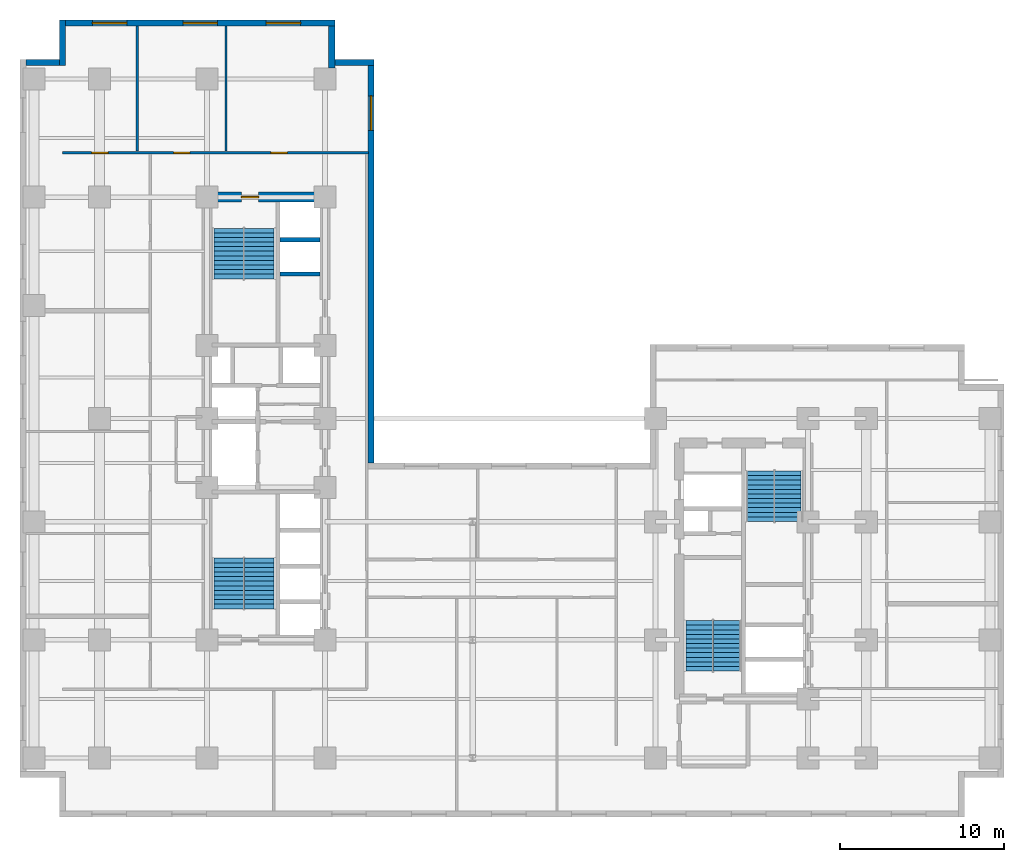
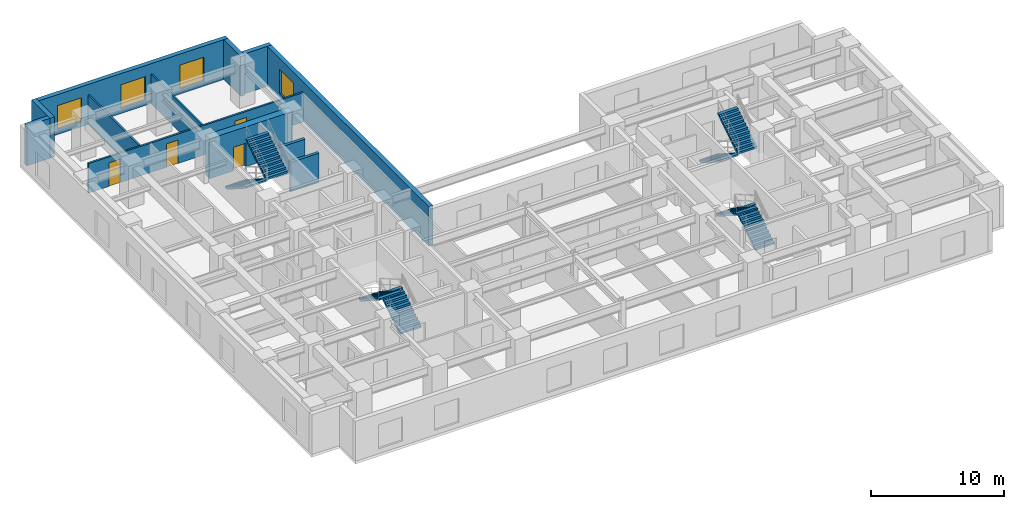
# One storey, part 6 of 9: 12 walls, 8 stair flights, 4 doors, 4 windows, 8 openings, 4 elements without a shape of their own.
"""IFC4 building model written with IfcOpenShell, lengths in metres."""

from ifc_helpers import new_model, entity, si_unit, converted_unit, direction, frame, origin_with_axes, origin_2d_with_axis, place, context, subcontext, project, spatial, polyline, rectangle, outline, extrude, material, layer, layer_set, type_object, element, fill, aggregate, save


model = new_model("IFC4")

# Units and contexts
model_context = context("Model", 3, precision=1e-05, world=origin_with_axes(), true_north=direction((0.0, 1.0)))
body_context = subcontext(model_context, "Body", "Model", "MODEL_VIEW")
ifc_project = project(units=[si_unit("LENGTHUNIT", "METRE"), si_unit("AREAUNIT", "SQUARE_METRE"), si_unit("VOLUMEUNIT", "CUBIC_METRE"), converted_unit("PLANEANGLEUNIT", "DEGREE", entity("IfcPlaneAngleMeasure", 0.017453292519943295), si_unit("PLANEANGLEUNIT", "RADIAN"), dimensions=[0, 0, 0, 0, 0, 0, 0]), si_unit("MASSUNIT", "GRAM", prefix="KILO"), si_unit("THERMODYNAMICTEMPERATUREUNIT", "KELVIN")], contexts=[model_context])

# Site, building, storey
site_placement = place(None, origin_with_axes())
site = spatial("IfcSite", under=ifc_project, at=site_placement, CompositionType="ELEMENT")
building_placement = place(site_placement, origin_with_axes())
building = spatial("IfcBuilding", under=site, at=building_placement, Name="Varnlund Millrace Tower", CompositionType="ELEMENT")
storey_placement = place(building_placement, frame((0.0, 0.0, 52.2), z_axis=(0.0, 0.0, 1.0), x_axis=(1.0, 0.0, 0.0)))
storey = spatial("IfcBuildingStorey", under=building, at=storey_placement, Name="L12", CompositionType="ELEMENT", Elevation=52.2)

# Wall, opening, door
ifc_material_1 = material(Name="Concrete C80/95", Category="concrete")
ifc_layer_1 = layer(ifc_material_1, 0.6, Name="Concrete C80/95")
ifc_layer_set_1 = layer_set([ifc_layer_1], Name="Concrete C80/95")
wall_type_1 = type_object("IfcWallType", Name="Type-CoreWall-Shear-600-C80", PredefinedType="SHEAR", material=ifc_layer_set_1)
wall_1_placement = place(storey_placement, frame((11.4, 37.8, 0.0), z_axis=(0.0, 0.0, 1.0), x_axis=(1.0, 0.0, 0.0)))
wall_1 = element("IfcWall", 1, at=wall_1_placement, inside=storey, type_object=wall_type_1, Name="Type-CoreWall-Shear-600-C80", PredefinedType="SHEAR", context=body_context, shape_type="SweptSolid", body=[
    extrude(outline(polyline([(0.0, -0.3), (7.2, -0.3), (7.2, 0.3), (0.0, 0.3), (0.0, -0.3)])), origin_with_axes(), (0.0, 0.0, 1.0), 3.66),
])
opening_1_placement = place(wall_1_placement, frame((2.625, 0.0, 0.0), z_axis=(0.0, 0.0, 1.0), x_axis=(1.0, 0.0, 0.0)))
opening_1 = element("IfcOpeningElement", 2, at=opening_1_placement, cuts=wall_1, Name="Opening L12:DR-STA2", PredefinedType="OPENING", context=body_context, shape_type="SweptSolid", body=[
    extrude(rectangle(XDim=1.05, YDim=0.62, at=origin_2d_with_axis()), origin_with_axes(), (0.0, 0.0, 1.0), 2.15),
])
ifc_material_2 = material(Name="Fire-rated hollow steel door", Category="steel")
door_type_1 = type_object("IfcDoorType", Name="Type-FireDoor-Stair-1050X2150", OperationType="NOTDEFINED", PredefinedType="DOOR", material=ifc_material_2)
door_1_placement = place(wall_1_placement, frame((2.625, 0.0, 0.0), z_axis=(0.0, 0.0, 1.0), x_axis=(1.0, 0.0, 0.0)))
door_1 = element("IfcDoor", 3, at=door_1_placement, inside=storey, type_object=door_type_1, Name="Type-FireDoor-Stair-1050X2150", OperationType="SINGLE_SWING_RIGHT", OverallHeight=2.15, OverallWidth=1.05, PredefinedType="DOOR", context=body_context, shape_type="SweptSolid", body=[
    extrude(rectangle(XDim=1.05, YDim=0.09, at=origin_2d_with_axis()), origin_with_axes(), (0.0, 0.0, 1.0), 2.15),
])
fill(opening_1, door_1)

# Walls
ifc_material_3 = material(Name="Precast concrete C50/60", Category="concrete")
ifc_layer_2 = layer(ifc_material_3, 0.38, Name="Precast concrete C50/60")
ifc_layer_set_2 = layer_set([ifc_layer_2], Name="Precast concrete C50/60")
wall_type_2 = type_object("IfcWallType", Name="Type-ExtWall-Precast-Tube-380", PredefinedType="SOLIDWALL", material=ifc_layer_set_2)
wall_2_placement = place(storey_placement, frame((0.38, 46.01, 0.0), z_axis=(0.0, 0.0, 1.0), x_axis=(1.0, 0.0, 0.0)))
element("IfcWall", 4, at=wall_2_placement, inside=storey, type_object=wall_type_2, Name="Type-ExtWall-Precast-Tube-380", PredefinedType="SOLIDWALL", context=body_context, shape_type="SweptSolid", body=[
    extrude(outline(polyline([(0.0, -0.19), (2.02, -0.19), (2.02, 0.19), (0.0, 0.19), (0.0, -0.19)])), origin_with_axes(), (0.0, 0.0, 1.0), 3.66),
])
wall_3_placement = place(storey_placement, frame((2.59, 45.82, 0.0), z_axis=(0.0, 0.0, 1.0), x_axis=(0.0, 1.0, 0.0)))
element("IfcWall", 5, at=wall_3_placement, inside=storey, type_object=wall_type_2, Name="Type-ExtWall-Precast-Tube-380", PredefinedType="SOLIDWALL", context=body_context, shape_type="SweptSolid", body=[
    extrude(outline(polyline([(0.0, -0.19), (2.78, -0.19), (2.78, 0.19), (0.0, 0.19), (0.0, -0.19)])), origin_with_axes(), (0.0, 0.0, 1.0), 3.66),
])

# Wall, openings, windows
wall_4_placement = place(storey_placement, frame((2.78, 48.41, 0.0), z_axis=(0.0, 0.0, 1.0), x_axis=(1.0, 0.0, 0.0)))
wall_4 = element("IfcWall", 6, at=wall_4_placement, inside=storey, type_object=wall_type_2, Name="Type-ExtWall-Precast-Tube-380", PredefinedType="SOLIDWALL", context=body_context, shape_type="SweptSolid", body=[
    extrude(outline(polyline([(0.0, -0.19), (16.42, -0.19), (16.42, 0.19), (0.0, 0.19), (0.0, -0.19)])), origin_with_axes(), (0.0, 0.0, 1.0), 3.66),
])
opening_2_placement = place(wall_4_placement, frame((2.687, 0.0, 0.45), z_axis=(0.0, 0.0, 1.0), x_axis=(1.0, 0.0, 0.0)))
opening_2 = element("IfcOpeningElement", 7, at=opening_2_placement, cuts=wall_4, Name="Opening L12:WN-23", PredefinedType="OPENING", context=body_context, shape_type="SweptSolid", body=[
    extrude(rectangle(XDim=2.1, YDim=0.4, at=origin_2d_with_axis()), origin_with_axes(), (0.0, 0.0, 1.0), 2.2),
])
opening_3_placement = place(wall_4_placement, frame((8.21, 0.0, 0.45), z_axis=(0.0, 0.0, 1.0), x_axis=(1.0, 0.0, 0.0)))
opening_3 = element("IfcOpeningElement", 8, at=opening_3_placement, cuts=wall_4, Name="Opening L12:WN-24", PredefinedType="OPENING", context=body_context, shape_type="SweptSolid", body=[
    extrude(rectangle(XDim=2.1, YDim=0.4, at=origin_2d_with_axis()), origin_with_axes(), (0.0, 0.0, 1.0), 2.2),
])
opening_4_placement = place(wall_4_placement, frame((13.283, 0.0, 0.45), z_axis=(0.0, 0.0, 1.0), x_axis=(1.0, 0.0, 0.0)))
opening_4 = element("IfcOpeningElement", 9, at=opening_4_placement, cuts=wall_4, Name="Opening L12:WN-25", PredefinedType="OPENING", context=body_context, shape_type="SweptSolid", body=[
    extrude(rectangle(XDim=2.1, YDim=0.4, at=origin_2d_with_axis()), origin_with_axes(), (0.0, 0.0, 1.0), 2.2),
])
ifc_material_4 = material(Name="Argon low-e triple glazing in thermally broken bronze frame", Category="glass")
window_type = type_object("IfcWindowType", Name="Type-Window-Punched-2100X2200", PartitioningType="SINGLE_PANEL", PredefinedType="WINDOW", material=ifc_material_4)
window_1_placement = place(wall_4_placement, frame((2.687, 0.0, 0.45), z_axis=(0.0, 0.0, 1.0), x_axis=(1.0, 0.0, 0.0)))
window_1 = element("IfcWindow", 10, at=window_1_placement, inside=storey, type_object=window_type, Name="Type-Window-Punched-2100X2200", OverallHeight=2.2, OverallWidth=2.1, PredefinedType="WINDOW", context=body_context, shape_type="SweptSolid", body=[
    extrude(rectangle(XDim=2.1, YDim=0.09, at=origin_2d_with_axis()), origin_with_axes(), (0.0, 0.0, 1.0), 2.2),
])
fill(opening_2, window_1)
window_2_placement = place(wall_4_placement, frame((8.21, 0.0, 0.45), z_axis=(0.0, 0.0, 1.0), x_axis=(1.0, 0.0, 0.0)))
window_2 = element("IfcWindow", 11, at=window_2_placement, inside=storey, type_object=window_type, Name="Type-Window-Punched-2100X2200", OverallHeight=2.2, OverallWidth=2.1, PredefinedType="WINDOW", context=body_context, shape_type="SweptSolid", body=[
    extrude(rectangle(XDim=2.1, YDim=0.09, at=origin_2d_with_axis()), origin_with_axes(), (0.0, 0.0, 1.0), 2.2),
])
fill(opening_3, window_2)
window_3_placement = place(wall_4_placement, frame((13.283, 0.0, 0.45), z_axis=(0.0, 0.0, 1.0), x_axis=(1.0, 0.0, 0.0)))
window_3 = element("IfcWindow", 12, at=window_3_placement, inside=storey, type_object=window_type, Name="Type-Window-Punched-2100X2200", OverallHeight=2.2, OverallWidth=2.1, PredefinedType="WINDOW", context=body_context, shape_type="SweptSolid", body=[
    extrude(rectangle(XDim=2.1, YDim=0.09, at=origin_2d_with_axis()), origin_with_axes(), (0.0, 0.0, 1.0), 2.2),
])
fill(opening_4, window_3)

# Walls
wall_5_placement = place(storey_placement, frame((19.01, 48.22, 0.0), z_axis=(0.0, 0.0, 1.0), x_axis=(0.0, -1.0, 0.0)))
element("IfcWall", 13, at=wall_5_placement, inside=storey, type_object=wall_type_2, Name="Type-ExtWall-Precast-Tube-380", PredefinedType="SOLIDWALL", context=body_context, shape_type="SweptSolid", body=[
    extrude(outline(polyline([(0.0, -0.19), (2.56, -0.19), (2.56, 0.19), (0.0, 0.19), (0.0, -0.19)])), origin_with_axes(), (0.0, 0.0, 1.0), 3.66),
])
wall_6_placement = place(storey_placement, frame((18.82, 46.01, 0.0), z_axis=(0.0, 0.0, 1.0), x_axis=(1.0, 0.0, 0.0)))
element("IfcWall", 14, at=wall_6_placement, inside=storey, type_object=wall_type_2, Name="Type-ExtWall-Precast-Tube-380", PredefinedType="SOLIDWALL", context=body_context, shape_type="SweptSolid", body=[
    extrude(outline(polyline([(0.0, -0.19), (2.78, -0.19), (2.78, 0.19), (0.0, 0.19), (0.0, -0.19)])), origin_with_axes(), (0.0, 0.0, 1.0), 3.66),
])

# Wall, opening, window
wall_7_placement = place(storey_placement, frame((21.41, 45.82, 0.0), z_axis=(0.0, 0.0, 1.0), x_axis=(0.0, -1.0, 0.0)))
wall_7 = element("IfcWall", 15, at=wall_7_placement, inside=storey, type_object=wall_type_2, Name="Type-ExtWall-Precast-Tube-380", PredefinedType="SOLIDWALL", context=body_context, shape_type="SweptSolid", body=[
    extrude(outline(polyline([(0.0, -0.19), (24.22, -0.19), (24.22, 0.19), (0.0, 0.19), (0.0, -0.19)])), origin_with_axes(), (0.0, 0.0, 1.0), 3.66),
])
opening_5_placement = place(wall_7_placement, frame((2.902, 0.0, 0.45), z_axis=(0.0, 0.0, 1.0), x_axis=(1.0, 0.0, 0.0)))
opening_5 = element("IfcOpeningElement", 16, at=opening_5_placement, cuts=wall_7, Name="Opening L12:WN-26", PredefinedType="OPENING", context=body_context, shape_type="SweptSolid", body=[
    extrude(rectangle(XDim=2.1, YDim=0.4, at=origin_2d_with_axis()), origin_with_axes(), (0.0, 0.0, 1.0), 2.2),
])
window_4_placement = place(wall_7_placement, frame((2.902, 0.0, 0.45), z_axis=(0.0, 0.0, 1.0), x_axis=(1.0, 0.0, 0.0)))
window_4 = element("IfcWindow", 17, at=window_4_placement, inside=storey, type_object=window_type, Name="Type-Window-Punched-2100X2200", OverallHeight=2.2, OverallWidth=2.1, PredefinedType="WINDOW", context=body_context, shape_type="SweptSolid", body=[
    extrude(rectangle(XDim=2.1, YDim=0.09, at=origin_2d_with_axis()), origin_with_axes(), (0.0, 0.0, 1.0), 2.2),
])
fill(opening_5, window_4)

# Wall, openings, doors
ifc_material_5 = material(Name="Fire-rated gypsum board on cold-formed steel framing", Category="steel")
ifc_layer_3 = layer(ifc_material_5, 0.16, Name="Fire-rated gypsum board on cold-formed steel framing")
ifc_layer_set_3 = layer_set([ifc_layer_3], Name="Fire-rated gypsum board on cold-formed steel framing")
wall_type_3 = type_object("IfcWallType", Name="Type-Partition-Corridor-160", PredefinedType="PARTITIONING", material=ifc_layer_set_3)
wall_8_placement = place(storey_placement, frame((2.6, 40.5, 0.0), z_axis=(0.0, 0.0, 1.0), x_axis=(1.0, 0.0, 0.0)))
wall_8 = element("IfcWall", 18, at=wall_8_placement, inside=storey, type_object=wall_type_3, Name="Type-Partition-Corridor-160", PredefinedType="PARTITIONING", context=body_context, shape_type="SweptSolid", body=[
    extrude(outline(polyline([(0.0, -0.08), (18.65, -0.08), (18.65, 0.08), (0.0, 0.08), (0.0, -0.08)])), origin_with_axes(), (0.0, 0.0, 1.0), 2.7),
])
opening_6_placement = place(wall_8_placement, frame((2.2685, 0.0, 0.0), z_axis=(0.0, 0.0, 1.0), x_axis=(1.0, 0.0, 0.0)))
opening_6 = element("IfcOpeningElement", 19, at=opening_6_placement, cuts=wall_8, Name="Opening L12:DR-WAN-01", PredefinedType="OPENING", context=body_context, shape_type="SweptSolid", body=[
    extrude(rectangle(XDim=1.0, YDim=0.18, at=origin_2d_with_axis()), origin_with_axes(), (0.0, 0.0, 1.0), 2.15),
])
opening_7_placement = place(wall_8_placement, frame((7.2605, 0.0, 0.0), z_axis=(0.0, 0.0, 1.0), x_axis=(1.0, 0.0, 0.0)))
opening_7 = element("IfcOpeningElement", 20, at=opening_7_placement, cuts=wall_8, Name="Opening L12:DR-WAN-02", PredefinedType="OPENING", context=body_context, shape_type="SweptSolid", body=[
    extrude(rectangle(XDim=1.0, YDim=0.18, at=origin_2d_with_axis()), origin_with_axes(), (0.0, 0.0, 1.0), 2.15),
])
opening_8_placement = place(wall_8_placement, frame((13.197, 0.0, 0.0), z_axis=(0.0, 0.0, 1.0), x_axis=(1.0, 0.0, 0.0)))
opening_8 = element("IfcOpeningElement", 21, at=opening_8_placement, cuts=wall_8, Name="Opening L12:DR-WAN-03", PredefinedType="OPENING", context=body_context, shape_type="SweptSolid", body=[
    extrude(rectangle(XDim=1.0, YDim=0.18, at=origin_2d_with_axis()), origin_with_axes(), (0.0, 0.0, 1.0), 2.15),
])
ifc_material_6 = material(Name="Solid-core white oak and bronze frame door")
door_type_2 = type_object("IfcDoorType", Name="Type-IntDoor-Office-1000X2150", OperationType="NOTDEFINED", PredefinedType="DOOR", material=ifc_material_6)
door_2_placement = place(wall_8_placement, frame((2.2685, 0.0, 0.0), z_axis=(0.0, 0.0, 1.0), x_axis=(1.0, 0.0, 0.0)))
door_2 = element("IfcDoor", 22, at=door_2_placement, inside=storey, type_object=door_type_2, Name="Type-IntDoor-Office-1000X2150", OperationType="SINGLE_SWING_LEFT", OverallHeight=2.15, OverallWidth=1.0, PredefinedType="DOOR", context=body_context, shape_type="SweptSolid", body=[
    extrude(rectangle(XDim=1.0, YDim=0.09, at=origin_2d_with_axis()), origin_with_axes(), (0.0, 0.0, 1.0), 2.15),
])
fill(opening_6, door_2)
door_3_placement = place(wall_8_placement, frame((7.2605, 0.0, 0.0), z_axis=(0.0, 0.0, 1.0), x_axis=(1.0, 0.0, 0.0)))
door_3 = element("IfcDoor", 23, at=door_3_placement, inside=storey, type_object=door_type_2, Name="Type-IntDoor-Office-1000X2150", OperationType="SINGLE_SWING_RIGHT", OverallHeight=2.15, OverallWidth=1.0, PredefinedType="DOOR", context=body_context, shape_type="SweptSolid", body=[
    extrude(rectangle(XDim=1.0, YDim=0.09, at=origin_2d_with_axis()), origin_with_axes(), (0.0, 0.0, 1.0), 2.15),
])
fill(opening_7, door_3)
door_4_placement = place(wall_8_placement, frame((13.197, 0.0, 0.0), z_axis=(0.0, 0.0, 1.0), x_axis=(1.0, 0.0, 0.0)))
door_4 = element("IfcDoor", 24, at=door_4_placement, inside=storey, type_object=door_type_2, Name="Type-IntDoor-Office-1000X2150", OperationType="SINGLE_SWING_LEFT", OverallHeight=2.15, OverallWidth=1.0, PredefinedType="DOOR", context=body_context, shape_type="SweptSolid", body=[
    extrude(rectangle(XDim=1.0, YDim=0.09, at=origin_2d_with_axis()), origin_with_axes(), (0.0, 0.0, 1.0), 2.15),
])
fill(opening_8, door_4)

# Walls
ifc_material_7 = material(Name="Acoustic STC-50 gypsum board partition", Category="gypsum")
ifc_layer_4 = layer(ifc_material_7, 0.15, Name="Acoustic STC-50 gypsum board partition")
ifc_layer_set_4 = layer_set([ifc_layer_4], Name="Acoustic STC-50 gypsum board partition")
wall_type_4 = type_object("IfcWallType", Name="Type-Partition-Demising-150", PredefinedType="PARTITIONING", material=ifc_layer_set_4)
wall_9_placement = place(storey_placement, frame((7.147, 40.6, 0.0), z_axis=(0.0, 0.0, 1.0), x_axis=(0.0, 1.0, 0.0)))
element("IfcWall", 25, at=wall_9_placement, inside=storey, type_object=wall_type_4, Name="Type-Partition-Demising-150", PredefinedType="PARTITIONING", context=body_context, shape_type="SweptSolid", body=[
    extrude(outline(polyline([(0.0, -0.075), (7.64, -0.075), (7.64, 0.075), (0.0, 0.075), (0.0, -0.075)])), origin_with_axes(), (0.0, 0.0, 1.0), 2.7),
])
ifc_material_8 = material(Name="Gypsum board tenant partition", Category="gypsum")
ifc_layer_5 = layer(ifc_material_8, 0.125, Name="Gypsum board tenant partition")
ifc_layer_set_5 = layer_set([ifc_layer_5], Name="Gypsum board tenant partition")
wall_type_5 = type_object("IfcWallType", Name="Type-Partition-Tenant-125", PredefinedType="PARTITIONING", material=ifc_layer_set_5)
wall_10_placement = place(storey_placement, frame((12.574, 40.6, 0.0), z_axis=(0.0, 0.0, 1.0), x_axis=(0.0, 1.0, 0.0)))
element("IfcWall", 26, at=wall_10_placement, inside=storey, type_object=wall_type_5, Name="Type-Partition-Tenant-125", PredefinedType="PARTITIONING", context=body_context, shape_type="SweptSolid", body=[
    extrude(outline(polyline([(0.0, -0.0625), (7.64, -0.0625), (7.64, 0.0625), (0.0, 0.0625), (0.0, -0.0625)])), origin_with_axes(), (0.0, 0.0, 1.0), 2.7),
])
ifc_material_9 = material(Name="Concrete C60/75", Category="concrete")
ifc_layer_6 = layer(ifc_material_9, 0.25, Name="Concrete C60/75")
ifc_layer_set_6 = layer_set([ifc_layer_6], Name="Concrete C60/75")
wall_type_6 = type_object("IfcWallType", Name="Type-ShaftWall-Fire-250", PredefinedType="SOLIDWALL", material=ifc_layer_set_6)
for number, where, z_axis, x_axis, name in (
    (27, (15.84, 33.1, 0.0), (0.0, 0.0, 1.0), (1.0, 0.0, 0.0), "Type-ShaftWall-Fire-250"),
    (28, (15.84, 35.2, 0.0), (0.0, 0.0, 1.0), (1.0, 0.0, 0.0), "Type-ShaftWall-Fire-250"),
):
    element("IfcWall", number, at=place(storey_placement, frame(where, z_axis=z_axis, x_axis=x_axis)), inside=storey, type_object=wall_type_6, Name=name, PredefinedType="SOLIDWALL", context=body_context, shape_type="SweptSolid", body=[
        extrude(outline(polyline([(0.0, -0.125), (2.46, -0.125), (2.46, 0.125), (0.0, 0.125), (0.0, -0.125)])), origin_with_axes(), (0.0, 0.0, 1.0), 2.7),
    ])

# Stair, stair flights
ifc_material_10 = material(Name="Concrete C50/60", Category="concrete")
stair_type_1 = type_object("IfcStairType", Name="Type-Stair-Dogleg-165-390", PredefinedType="HALF_TURN_STAIR", material=ifc_material_10)
stair_1_placement = place(storey_placement, origin_with_axes())
stair_1 = element("IfcStair", 29, at=stair_1_placement, inside=storey, type_object=stair_type_1, Name="Type-Stair-Dogleg-165-390", PredefinedType="HALF_TURN_STAIR")
stair_flight_type_1 = type_object("IfcStairFlightType", Name="Type-Dogleg-Run-165-390", PredefinedType="STRAIGHT", material=ifc_material_3)
stair_flight_1_placement = place(storey_placement, frame((42.225, 8.9, 0.0), z_axis=(1.0, 0.0, 0.0), x_axis=(0.0, 1.0, 0.0)))
stair_flight_1 = element("IfcStairFlight", 30, at=stair_flight_1_placement, type_object=stair_flight_type_1, Name="ST-B1 flight 1", NumberOfRisers=11, NumberOfTreads=11, PredefinedType="STRAIGHT", RiserHeight=0.177273, TreadLength=0.28, context=body_context, shape_type="SweptSolid", body=[
    extrude(outline(polyline([(0.0, 0.0), (0.0, 0.177273), (0.28, 0.177273), (0.28, 0.354545), (0.56, 0.354545), (0.56, 0.531818), (0.84, 0.531818), (0.84, 0.709091), (1.12, 0.709091), (1.12, 0.886364), (1.4, 0.886364), (1.4, 1.063636), (1.68, 1.063636), (1.68, 1.240909), (1.96, 1.240909), (1.96, 1.418182), (2.24, 1.418182), (2.24, 1.595454), (2.52, 1.595454), (2.52, 1.772727), (2.8, 1.772727), (2.8, 1.95), (3.08, 1.95), (3.08, 1.8), (0.28, 0.0), (0.0, 0.0)])), origin_with_axes(), (0.0, 0.0, 1.0), 1.65),
])
stair_flight_2_placement = place(storey_placement, frame((42.275, 11.98, 1.95), z_axis=(-1.0, 0.0, 0.0), x_axis=(0.0, -1.0, 0.0)))
stair_flight_2 = element("IfcStairFlight", 31, at=stair_flight_2_placement, type_object=stair_flight_type_1, Name="ST-B1 flight 2", NumberOfRisers=11, NumberOfTreads=11, PredefinedType="STRAIGHT", RiserHeight=0.177273, TreadLength=0.28, context=body_context, shape_type="SweptSolid", body=[
    extrude(outline(polyline([(0.0, 0.0), (0.0, 0.177273), (0.28, 0.177273), (0.28, 0.354545), (0.56, 0.354545), (0.56, 0.531818), (0.84, 0.531818), (0.84, 0.709091), (1.12, 0.709091), (1.12, 0.886364), (1.4, 0.886364), (1.4, 1.063636), (1.68, 1.063636), (1.68, 1.240909), (1.96, 1.240909), (1.96, 1.418182), (2.24, 1.418182), (2.24, 1.595454), (2.52, 1.595454), (2.52, 1.772727), (2.8, 1.772727), (2.8, 1.95), (3.08, 1.95), (3.08, 1.8), (0.28, 0.0), (0.0, 0.0)])), origin_with_axes(), (0.0, 0.0, 1.0), 1.65),
])
aggregate(stair_1, [stair_flight_1, stair_flight_2])

stair_2_placement = place(storey_placement, origin_with_axes())
stair_2 = element("IfcStair", 32, at=stair_2_placement, inside=storey, type_object=stair_type_1, Name="Type-Stair-Dogleg-165-390", PredefinedType="HALF_TURN_STAIR")
stair_flight_3_placement = place(storey_placement, frame((46.025, 21.1, 0.0), z_axis=(-1.0, 0.0, 0.0), x_axis=(0.0, -1.0, 0.0)))
stair_flight_3 = element("IfcStairFlight", 33, at=stair_flight_3_placement, type_object=stair_flight_type_1, Name="ST-B2 flight 1", NumberOfRisers=11, NumberOfTreads=11, PredefinedType="STRAIGHT", RiserHeight=0.177273, TreadLength=0.28, context=body_context, shape_type="SweptSolid", body=[
    extrude(outline(polyline([(0.0, 0.0), (0.0, 0.177273), (0.28, 0.177273), (0.28, 0.354545), (0.56, 0.354545), (0.56, 0.531818), (0.84, 0.531818), (0.84, 0.709091), (1.12, 0.709091), (1.12, 0.886364), (1.4, 0.886364), (1.4, 1.063636), (1.68, 1.063636), (1.68, 1.240909), (1.96, 1.240909), (1.96, 1.418182), (2.24, 1.418182), (2.24, 1.595454), (2.52, 1.595454), (2.52, 1.772727), (2.8, 1.772727), (2.8, 1.95), (3.08, 1.95), (3.08, 1.8), (0.28, 0.0), (0.0, 0.0)])), origin_with_axes(), (0.0, 0.0, 1.0), 1.65),
])
stair_flight_4_placement = place(storey_placement, frame((45.975, 18.02, 1.95), z_axis=(1.0, 0.0, 0.0), x_axis=(0.0, 1.0, 0.0)))
stair_flight_4 = element("IfcStairFlight", 34, at=stair_flight_4_placement, type_object=stair_flight_type_1, Name="ST-B2 flight 2", NumberOfRisers=11, NumberOfTreads=11, PredefinedType="STRAIGHT", RiserHeight=0.177273, TreadLength=0.28, context=body_context, shape_type="SweptSolid", body=[
    extrude(outline(polyline([(0.0, 0.0), (0.0, 0.177273), (0.28, 0.177273), (0.28, 0.354545), (0.56, 0.354545), (0.56, 0.531818), (0.84, 0.531818), (0.84, 0.709091), (1.12, 0.709091), (1.12, 0.886364), (1.4, 0.886364), (1.4, 1.063636), (1.68, 1.063636), (1.68, 1.240909), (1.96, 1.240909), (1.96, 1.418182), (2.24, 1.418182), (2.24, 1.595454), (2.52, 1.595454), (2.52, 1.772727), (2.8, 1.772727), (2.8, 1.95), (3.08, 1.95), (3.08, 1.8), (0.28, 0.0), (0.0, 0.0)])), origin_with_axes(), (0.0, 0.0, 1.0), 1.65),
])
aggregate(stair_2, [stair_flight_3, stair_flight_4])

stair_type_2 = type_object("IfcStairType", Name="Type-Stair-Dogleg-185-390", PredefinedType="HALF_TURN_STAIR", material=ifc_material_10)
stair_3_placement = place(storey_placement, origin_with_axes())
stair_3 = element("IfcStair", 35, at=stair_3_placement, inside=storey, type_object=stair_type_2, Name="Type-Stair-Dogleg-185-390", PredefinedType="HALF_TURN_STAIR")
stair_flight_type_2 = type_object("IfcStairFlightType", Name="Type-Dogleg-Run-185-390", PredefinedType="STRAIGHT", material=ifc_material_3)
stair_flight_5_placement = place(storey_placement, frame((13.625, 12.7, 0.0), z_axis=(1.0, 0.0, 0.0), x_axis=(0.0, 1.0, 0.0)))
stair_flight_5 = element("IfcStairFlight", 36, at=stair_flight_5_placement, type_object=stair_flight_type_2, Name="ST-A1 flight 1", NumberOfRisers=11, NumberOfTreads=11, PredefinedType="STRAIGHT", RiserHeight=0.177273, TreadLength=0.28, context=body_context, shape_type="SweptSolid", body=[
    extrude(outline(polyline([(0.0, 0.0), (0.0, 0.177273), (0.28, 0.177273), (0.28, 0.354545), (0.56, 0.354545), (0.56, 0.531818), (0.84, 0.531818), (0.84, 0.709091), (1.12, 0.709091), (1.12, 0.886364), (1.4, 0.886364), (1.4, 1.063636), (1.68, 1.063636), (1.68, 1.240909), (1.96, 1.240909), (1.96, 1.418182), (2.24, 1.418182), (2.24, 1.595454), (2.52, 1.595454), (2.52, 1.772727), (2.8, 1.772727), (2.8, 1.95), (3.08, 1.95), (3.08, 1.8), (0.28, 0.0), (0.0, 0.0)])), origin_with_axes(), (0.0, 0.0, 1.0), 1.85),
])
stair_flight_6_placement = place(storey_placement, frame((13.675, 15.78, 1.95), z_axis=(-1.0, 0.0, 0.0), x_axis=(0.0, -1.0, 0.0)))
stair_flight_6 = element("IfcStairFlight", 37, at=stair_flight_6_placement, type_object=stair_flight_type_2, Name="ST-A1 flight 2", NumberOfRisers=11, NumberOfTreads=11, PredefinedType="STRAIGHT", RiserHeight=0.177273, TreadLength=0.28, context=body_context, shape_type="SweptSolid", body=[
    extrude(outline(polyline([(0.0, 0.0), (0.0, 0.177273), (0.28, 0.177273), (0.28, 0.354545), (0.56, 0.354545), (0.56, 0.531818), (0.84, 0.531818), (0.84, 0.709091), (1.12, 0.709091), (1.12, 0.886364), (1.4, 0.886364), (1.4, 1.063636), (1.68, 1.063636), (1.68, 1.240909), (1.96, 1.240909), (1.96, 1.418182), (2.24, 1.418182), (2.24, 1.595454), (2.52, 1.595454), (2.52, 1.772727), (2.8, 1.772727), (2.8, 1.95), (3.08, 1.95), (3.08, 1.8), (0.28, 0.0), (0.0, 0.0)])), origin_with_axes(), (0.0, 0.0, 1.0), 1.85),
])
aggregate(stair_3, [stair_flight_5, stair_flight_6])

stair_4_placement = place(storey_placement, origin_with_axes())
stair_4 = element("IfcStair", 38, at=stair_4_placement, inside=storey, type_object=stair_type_2, Name="Type-Stair-Dogleg-185-390", PredefinedType="HALF_TURN_STAIR")
stair_flight_7_placement = place(storey_placement, frame((13.675, 35.9, 0.0), z_axis=(-1.0, 0.0, 0.0), x_axis=(0.0, -1.0, 0.0)))
stair_flight_7 = element("IfcStairFlight", 39, at=stair_flight_7_placement, type_object=stair_flight_type_2, Name="ST-A2 flight 1", NumberOfRisers=11, NumberOfTreads=11, PredefinedType="STRAIGHT", RiserHeight=0.177273, TreadLength=0.28, context=body_context, shape_type="SweptSolid", body=[
    extrude(outline(polyline([(0.0, 0.0), (0.0, 0.177273), (0.28, 0.177273), (0.28, 0.354545), (0.56, 0.354545), (0.56, 0.531818), (0.84, 0.531818), (0.84, 0.709091), (1.12, 0.709091), (1.12, 0.886364), (1.4, 0.886364), (1.4, 1.063636), (1.68, 1.063636), (1.68, 1.240909), (1.96, 1.240909), (1.96, 1.418182), (2.24, 1.418182), (2.24, 1.595454), (2.52, 1.595454), (2.52, 1.772727), (2.8, 1.772727), (2.8, 1.95), (3.08, 1.95), (3.08, 1.8), (0.28, 0.0), (0.0, 0.0)])), origin_with_axes(), (0.0, 0.0, 1.0), 1.85),
])
stair_flight_8_placement = place(storey_placement, frame((13.625, 32.82, 1.95), z_axis=(1.0, 0.0, 0.0), x_axis=(0.0, 1.0, 0.0)))
stair_flight_8 = element("IfcStairFlight", 40, at=stair_flight_8_placement, type_object=stair_flight_type_2, Name="ST-A2 flight 2", NumberOfRisers=11, NumberOfTreads=11, PredefinedType="STRAIGHT", RiserHeight=0.177273, TreadLength=0.28, context=body_context, shape_type="SweptSolid", body=[
    extrude(outline(polyline([(0.0, 0.0), (0.0, 0.177273), (0.28, 0.177273), (0.28, 0.354545), (0.56, 0.354545), (0.56, 0.531818), (0.84, 0.531818), (0.84, 0.709091), (1.12, 0.709091), (1.12, 0.886364), (1.4, 0.886364), (1.4, 1.063636), (1.68, 1.063636), (1.68, 1.240909), (1.96, 1.240909), (1.96, 1.418182), (2.24, 1.418182), (2.24, 1.595454), (2.52, 1.595454), (2.52, 1.772727), (2.8, 1.772727), (2.8, 1.95), (3.08, 1.95), (3.08, 1.8), (0.28, 0.0), (0.0, 0.0)])), origin_with_axes(), (0.0, 0.0, 1.0), 1.85),
])
aggregate(stair_4, [stair_flight_7, stair_flight_8])

save(model, "model.ifc")
